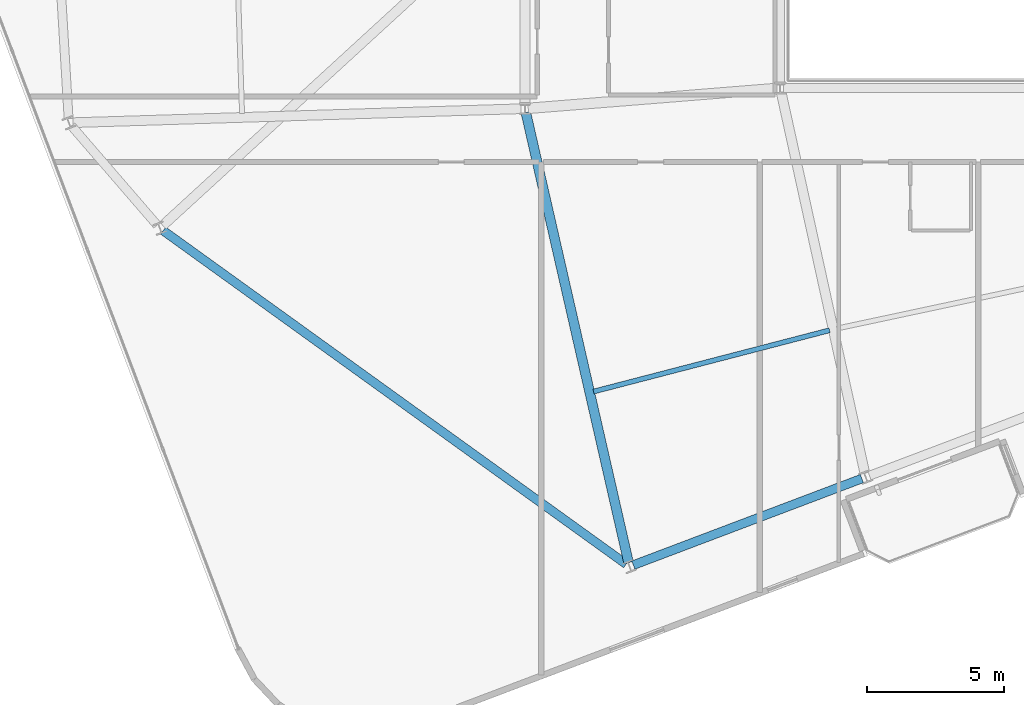
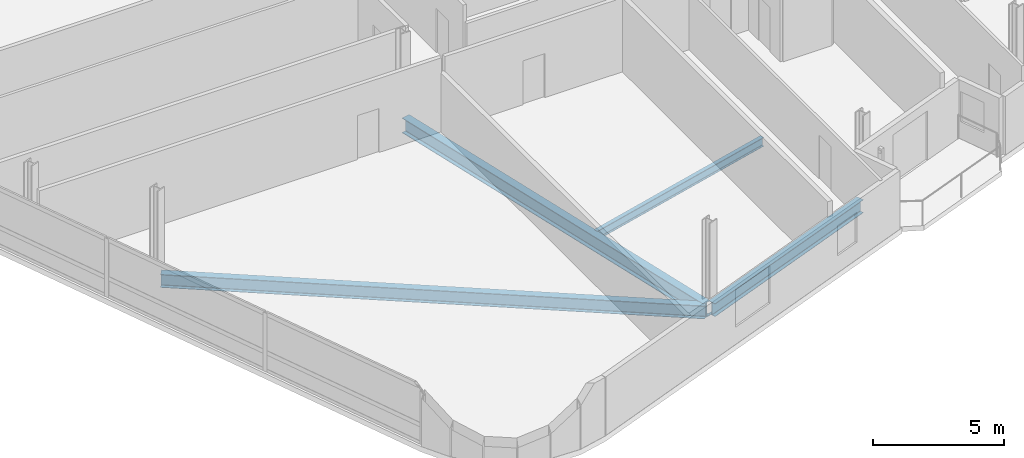
# One storey, part 4 of 20: 4 beams.
"""IFC4 building model written with IfcOpenShell, lengths in metres."""

from ifc_helpers import new_model, si_unit, direction, frame, origin, origin_2d, place, context, subcontext, project, spatial, i_section, extrude, material, material_profile, profile_set, type_object, element, save


model = new_model("IFC4")

# Units and contexts
model_context = context("Model", 3, precision=1e-05, world=origin(), true_north=direction((0.0, 1.0)))
body_context = subcontext(model_context, "Body", "Model", "MODEL_VIEW")
ifc_project = project(units=[si_unit("LENGTHUNIT", "METRE"), si_unit("AREAUNIT", "SQUARE_METRE"), si_unit("VOLUMEUNIT", "CUBIC_METRE"), si_unit("PLANEANGLEUNIT", "RADIAN"), si_unit("MASSUNIT", "GRAM", prefix="KILO")], contexts=[model_context])

# Site, building, storey
site_placement = place(None, origin())
site = spatial("IfcSite", under=ifc_project, at=site_placement, CompositionType="ELEMENT")
building_placement = place(site_placement, origin())
building = spatial("IfcBuilding", under=site, at=building_placement, Name="Varnelok Gate Tower", CompositionType="ELEMENT")
storey_placement = place(building_placement, frame((0.0, 0.0, 238.60009765625)))
storey = spatial("IfcBuildingStorey", under=building, at=storey_placement, Name="L61", CompositionType="ELEMENT", Elevation=238.60009765625)

# Beams
ifc_material = material(Name="Structural Steel ASTM A992 Grade 50", Category="steel")
ifc_material_profile_1 = material_profile(ifc_material, i_section(OverallWidth=0.180908203125, OverallDepth=0.4169921875, WebThickness=0.010986328125, FlangeThickness=0.018310546875, FilletRadius=0.013916015625, at=origin_2d()), Name="W16X57")
ifc_profile_set_1 = profile_set([ifc_material_profile_1], Name="Structural Steel ASTM A992 Grade 50")
beam_type_1 = type_object("IfcBeamType", Name="BM-JST-W16X57", PredefinedType="JOIST", material=ifc_profile_set_1)
beam_1_placement = place(storey_placement, frame((26.909423828125, 8.4365234375, -0.45849609375), z_axis=(0.967889835008, 0.251374754675, 0.0), x_axis=(-0.251374754675, 0.967889835008, 0.0)))
element("IfcBeam", 1, at=beam_1_placement, inside=storey, type_object=beam_type_1, Name="L61 Sector Floor Joist 1", PredefinedType="JOIST", context=body_context, shape_type="SweptSolid", body=[
    extrude(i_section(OverallWidth=0.180908203125, OverallDepth=0.4169921875, WebThickness=0.010986328125, FlangeThickness=0.018310546875, FilletRadius=0.013916015625, at=origin_2d()), origin(), (0.0, 0.0, 1.0), 8.932373046875),
])
ifc_material_profile_2 = material_profile(ifc_material, i_section(OverallWidth=0.35498046875, OverallDepth=0.696044921875, WebThickness=0.015380859375, FlangeThickness=0.02490234375, FilletRadius=0.02001953125, at=origin_2d()), Name="W27X146")
ifc_profile_set_2 = profile_set([ifc_material_profile_2], Name="Structural Steel ASTM A992 Grade 50")
beam_type_2 = type_object("IfcBeamType", Name="BM-PRI-W27X146", PredefinedType="BEAM", material=ifc_profile_set_2)
beam_2_placement = place(storey_placement, frame((24.433349609375, 18.65380859375, -0.59814453125), z_axis=(0.222569880735, -0.974916739106, 0.0), x_axis=(0.974916739106, 0.222569880735, 0.0)))
element("IfcBeam", 2, at=beam_2_placement, inside=storey, type_object=beam_type_2, Name="L61 Radial Floor Girder 1", PredefinedType="BEAM", context=body_context, shape_type="SweptSolid", body=[
    extrude(i_section(OverallWidth=0.35498046875, OverallDepth=0.696044921875, WebThickness=0.015380859375, FlangeThickness=0.02490234375, FilletRadius=0.02001953125, at=origin_2d()), origin(), (0.0, 0.0, 1.0), 16.903564453125),
])
ifc_material_profile_3 = material_profile(ifc_material, i_section(OverallWidth=0.323974609375, OverallDepth=0.611083984375, WebThickness=0.0126953125, FlangeThickness=0.01904296875, FilletRadius=0.01806640625, at=origin_2d()), Name="W24X104")
ifc_profile_set_3 = profile_set([ifc_material_profile_3], Name="Structural Steel ASTM A992 Grade 50")
beam_type_3 = type_object("IfcBeamType", Name="BM-SPN-W24X104", PredefinedType="SPANDREL", material=ifc_profile_set_3)
beam_3_placement = place(storey_placement, frame((28.369384765625, 2.081298828125, -0.5556640625), z_axis=(0.935225969099, 0.354051389947, 0.0), x_axis=(-0.354051389947, 0.935225969099, 0.0)))
element("IfcBeam", 3, at=beam_3_placement, inside=storey, type_object=beam_type_3, Name="L61 Perimeter Spandrel Beam 1", PredefinedType="SPANDREL", context=body_context, shape_type="SweptSolid", body=[
    extrude(i_section(OverallWidth=0.323974609375, OverallDepth=0.611083984375, WebThickness=0.0126953125, FlangeThickness=0.01904296875, FilletRadius=0.01806640625, at=origin_2d()), origin(), (0.0, 0.0, 1.0), 8.949951171875),
])
beam_4_placement = place(storey_placement, frame((11.148681640625, 14.33251953125, -0.5556640625), z_axis=(0.811386760244, -0.584509645173, 0.0), x_axis=(0.584509645173, 0.811386760244, 0.0)))
element("IfcBeam", 4, at=beam_4_placement, inside=storey, type_object=beam_type_3, Name="L61 Perimeter Spandrel Beam 16", PredefinedType="SPANDREL", context=body_context, shape_type="SweptSolid", body=[
    extrude(i_section(OverallWidth=0.323974609375, OverallDepth=0.611083984375, WebThickness=0.0126953125, FlangeThickness=0.01904296875, FilletRadius=0.01806640625, at=origin_2d()), origin(), (0.0, 0.0, 1.0), 20.90087890625),
])

save(model, "model.ifc")
